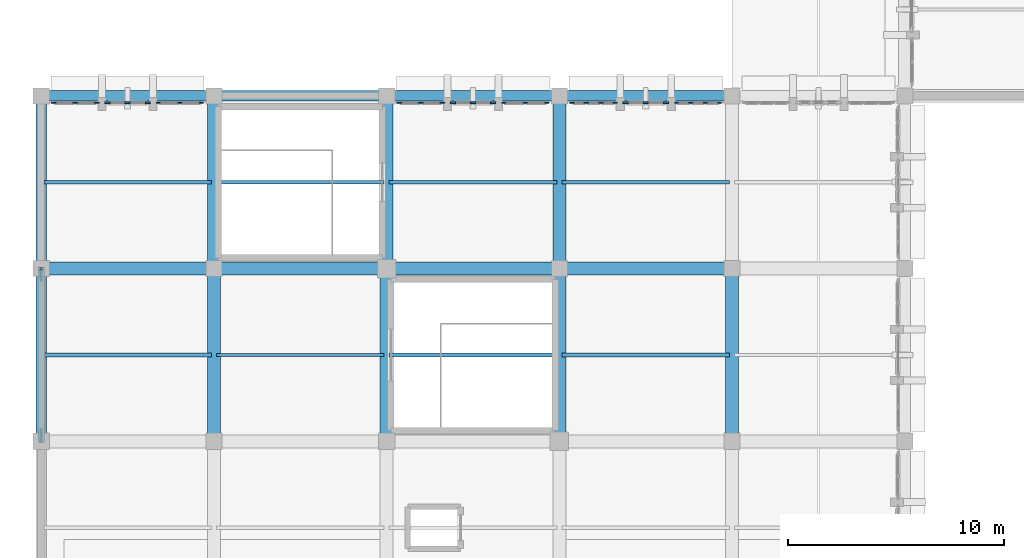
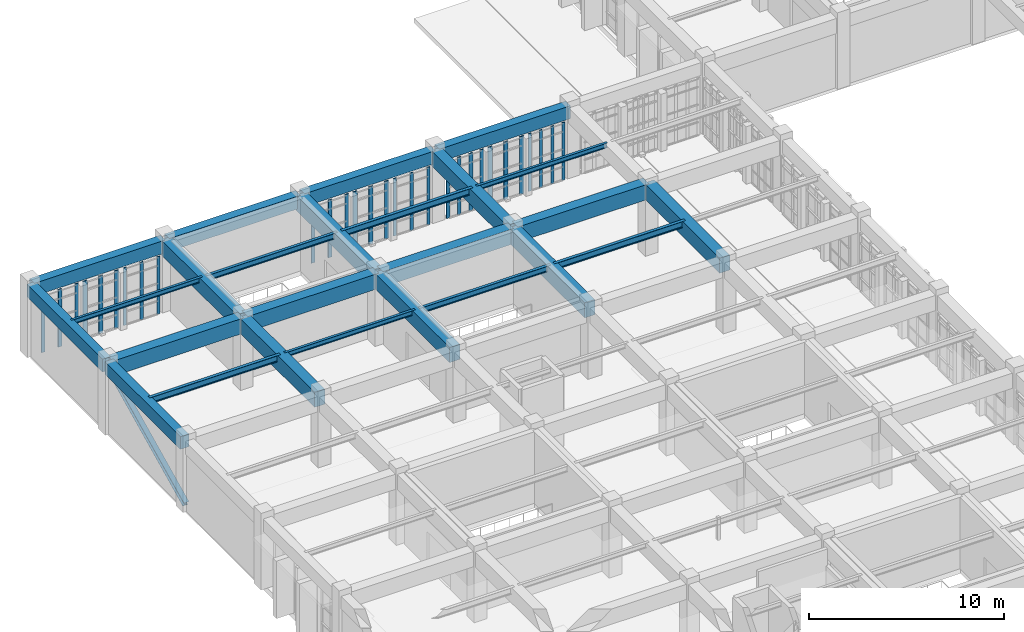
# One storey, part 26 of 155: 30 members, 25 beams, 9 elements without a shape of their own.
"""IFC4 building model written with IfcOpenShell, lengths in metres."""

from ifc_helpers import new_model, si_unit, direction, frame, origin, origin_2d, place, context, subcontext, project, spatial, rectangle, i_section, extrude, material, layer, layer_set, material_profile, profile_set, type_object, element, aggregate, save


model = new_model("IFC4")

# Units and contexts
model_context = context("Model", 3, precision=1e-05, world=origin(), true_north=direction((0.0, 1.0)))
body_context = subcontext(model_context, "Body", "Model", "MODEL_VIEW")
ifc_project = project(units=[si_unit("LENGTHUNIT", "METRE"), si_unit("AREAUNIT", "SQUARE_METRE"), si_unit("VOLUMEUNIT", "CUBIC_METRE"), si_unit("PLANEANGLEUNIT", "RADIAN"), si_unit("MASSUNIT", "GRAM", prefix="KILO")], contexts=[model_context])

# Site, building, storey
site_placement = place(None, origin())
site = spatial("IfcSite", under=ifc_project, at=site_placement, CompositionType="ELEMENT")
building_placement = place(site_placement, origin())
building = spatial("IfcBuilding", under=site, at=building_placement, Name="Tazarka Park Arena", CompositionType="ELEMENT")
storey_placement = place(building_placement, frame((0.0, 0.0, 5.39990234375)))
storey = spatial("IfcBuildingStorey", under=building, at=storey_placement, Name="L01", CompositionType="ELEMENT", Elevation=5.39990234375)

# Beams
ifc_material_1 = material(Name="Concrete C40/50", Category="concrete")
ifc_material_profile_1 = material_profile(ifc_material_1, rectangle(XDim=0.60009765625, YDim=0.949951171875, at=origin_2d()), Name="Concrete C40/50")
ifc_profile_set_1 = profile_set([ifc_material_profile_1], Name="Concrete C40/50")
beam_type_1 = type_object("IfcBeamType", Name="BM-B-03", PredefinedType="BEAM", material=ifc_profile_set_1)
for number, where, z_axis, x_axis, name in (
    (1, (0.1201171875, 104.0, 3.945068359375), (1.0, 0.0, 0.0), (0.0, 1.0, 0.0), "GXM-L01-00-13"),
    (2, (8.0, 96.1201171875, 3.945068359375), (0.0, 1.0, 0.0), (-1.0, 0.0, 0.0), "GYM-L01-01-12"),
    (3, (8.1201171875, 104.0, 3.945068359375), (1.0, 0.0, 0.0), (0.0, 1.0, 0.0), "GXM-L01-01-13"),
    (4, (8.0, 104.1201171875, 3.945068359375), (0.0, 1.0, 0.0), (-1.0, 0.0, 0.0), "GYM-L01-01-13"),
    (5, (16.0, 96.1201171875, 3.945068359375), (0.0, 1.0, 0.0), (-1.0, 0.0, 0.0), "GYM-L01-02-12"),
    (6, (16.1201171875, 104.0, 3.945068359375), (1.0, 0.0, 0.0), (0.0, 1.0, 0.0), "GXM-L01-02-13"),
    (7, (16.0, 104.1201171875, 3.945068359375), (0.0, 1.0, 0.0), (-1.0, 0.0, 0.0), "GYM-L01-02-13"),
    (8, (24.0, 96.1201171875, 3.945068359375), (0.0, 1.0, 0.0), (-1.0, 0.0, 0.0), "GYM-L01-03-12"),
    (9, (24.1201171875, 104.0, 3.945068359375), (1.0, 0.0, 0.0), (0.0, 1.0, 0.0), "GXM-L01-03-13"),
    (10, (24.0, 104.1201171875, 3.945068359375), (0.0, 1.0, 0.0), (-1.0, 0.0, 0.0), "GYM-L01-03-13"),
    (11, (32.0, 96.1201171875, 3.945068359375), (0.0, 1.0, 0.0), (-1.0, 0.0, 0.0), "GYM-L01-04-12"),
):
    element("IfcBeam", number, at=place(storey_placement, frame(where, z_axis=z_axis, x_axis=x_axis)), inside=storey, type_object=beam_type_1, Name=name, PredefinedType="BEAM", context=body_context, shape_type="SweptSolid", body=[
        extrude(rectangle(XDim=0.60009765625, YDim=0.949951171875, at=origin_2d()), origin(), (0.0, 0.0, 1.0), 7.759765625),
    ])
ifc_material_2 = material(Name="Steel S355", Category="steel")
ifc_material_profile_2 = material_profile(ifc_material_2, i_section(OverallWidth=0.14990234375, OverallDepth=0.300048828125, WebThickness=0.007080078125, FlangeThickness=0.0107421875, FilletRadius=0.014892578125, at=origin_2d()), Name="Steel S355")
ifc_profile_set_2 = profile_set([ifc_material_profile_2], Name="Steel S355")
beam_type_2 = type_object("IfcBeamType", Name="BM-J-01", PredefinedType="JOIST", material=ifc_profile_set_2)
for number, where, z_axis, x_axis, name in (
    (12, (0.1201171875, 108.0, 4.27001953125), (1.0, 0.0, 0.0), (0.0, 1.0, 0.0), "JST-L01-00-13"),
    (13, (8.1201171875, 100.0, 4.27001953125), (1.0, 0.0, 0.0), (0.0, 1.0, 0.0), "JST-L01-01-12"),
    (14, (24.1201171875, 108.0, 4.27001953125), (1.0, 0.0, 0.0), (0.0, 1.0, 0.0), "JST-L01-03-13"),
):
    element("IfcBeam", number, at=place(storey_placement, frame(where, z_axis=z_axis, x_axis=x_axis)), inside=storey, type_object=beam_type_2, Name=name, PredefinedType="JOIST", context=body_context, shape_type="SweptSolid", body=[
        extrude(i_section(OverallWidth=0.14990234375, OverallDepth=0.300048828125, WebThickness=0.007080078125, FlangeThickness=0.0107421875, FilletRadius=0.014892578125, at=origin_2d()), origin(), (0.0, 0.0, 1.0), 7.759765625),
    ])
ifc_material_3 = material(Name="Steel S355", Category="steel")
ifc_material_profile_3 = material_profile(ifc_material_3, i_section(OverallWidth=0.169921875, OverallDepth=0.360107421875, WebThickness=0.008056640625, FlangeThickness=0.0126953125, FilletRadius=0.01806640625, at=origin_2d()), Name="Steel S355")
ifc_profile_set_3 = profile_set([ifc_material_profile_3], Name="Steel S355")
beam_type_3 = type_object("IfcBeamType", Name="BM-J-02", PredefinedType="JOIST", material=ifc_profile_set_3)
for number, where, z_axis, x_axis, name in (
    (15, (8.1201171875, 108.0, 4.239990234375), (1.0, 0.0, 0.0), (0.0, 1.0, 0.0), "JST-L01-01-13"),
    (16, (16.1201171875, 100.0, 4.239990234375), (1.0, 0.0, 0.0), (0.0, 1.0, 0.0), "JST-L01-02-12"),
):
    element("IfcBeam", number, at=place(storey_placement, frame(where, z_axis=z_axis, x_axis=x_axis)), inside=storey, type_object=beam_type_3, Name=name, PredefinedType="JOIST", context=body_context, shape_type="SweptSolid", body=[
        extrude(i_section(OverallWidth=0.169921875, OverallDepth=0.360107421875, WebThickness=0.008056640625, FlangeThickness=0.0126953125, FilletRadius=0.01806640625, at=origin_2d()), origin(), (0.0, 0.0, 1.0), 7.759765625),
    ])
ifc_material_4 = material(Name="Steel S355", Category="steel")
ifc_material_profile_4 = material_profile(ifc_material_4, i_section(OverallWidth=0.179931640625, OverallDepth=0.39990234375, WebThickness=0.008544921875, FlangeThickness=0.013427734375, FilletRadius=0.02099609375, at=origin_2d()), Name="Steel S355")
ifc_profile_set_4 = profile_set([ifc_material_profile_4], Name="Steel S355")
beam_type_4 = type_object("IfcBeamType", Name="BM-J-03", PredefinedType="JOIST", material=ifc_profile_set_4)
for number, where, z_axis, x_axis, name in (
    (17, (0.1201171875, 100.0, 4.22021484375), (1.0, 0.0, 0.0), (0.0, 1.0, 0.0), "JST-L01-00-12"),
    (18, (16.1201171875, 108.0, 4.22021484375), (1.0, 0.0, 0.0), (0.0, 1.0, 0.0), "JST-L01-02-13"),
    (19, (24.1201171875, 100.0, 4.22021484375), (1.0, 0.0, 0.0), (0.0, 1.0, 0.0), "JST-L01-03-12"),
):
    element("IfcBeam", number, at=place(storey_placement, frame(where, z_axis=z_axis, x_axis=x_axis)), inside=storey, type_object=beam_type_4, Name=name, PredefinedType="JOIST", context=body_context, shape_type="SweptSolid", body=[
        extrude(i_section(OverallWidth=0.179931640625, OverallDepth=0.39990234375, WebThickness=0.008544921875, FlangeThickness=0.013427734375, FilletRadius=0.02099609375, at=origin_2d()), origin(), (0.0, 0.0, 1.0), 7.759765625),
    ])
ifc_material_5 = material(Name="Concrete C40/50", Category="concrete")
ifc_material_profile_5 = material_profile(ifc_material_5, rectangle(XDim=0.5, YDim=0.800048828125, at=origin_2d()), Name="Concrete C40/50")
ifc_profile_set_5 = profile_set([ifc_material_profile_5], Name="Concrete C40/50")
beam_type_5 = type_object("IfcBeamType", Name="BM-SP-01", PredefinedType="SPANDREL", material=ifc_profile_set_5)
for number, where, z_axis, x_axis, name in (
    (20, (0.0, 96.1201171875, 4.02001953125), (0.0, 1.0, 0.0), (-1.0, 0.0, 0.0), "GYM-L01-00-12"),
    (21, (0.0, 104.1201171875, 4.02001953125), (0.0, 1.0, 0.0), (-1.0, 0.0, 0.0), "GYM-L01-00-13"),
    (22, (0.1201171875, 112.0, 4.02001953125), (1.0, 0.0, 0.0), (0.0, 1.0, 0.0), "GXM-L01-00-14"),
    (23, (8.1201171875, 112.0, 4.02001953125), (1.0, 0.0, 0.0), (0.0, 1.0, 0.0), "GXM-L01-01-14"),
    (24, (16.1201171875, 112.0, 4.02001953125), (1.0, 0.0, 0.0), (0.0, 1.0, 0.0), "GXM-L01-02-14"),
    (25, (24.1201171875, 112.0, 4.02001953125), (1.0, 0.0, 0.0), (0.0, 1.0, 0.0), "GXM-L01-03-14"),
):
    element("IfcBeam", number, at=place(storey_placement, frame(where, z_axis=z_axis, x_axis=x_axis)), inside=storey, type_object=beam_type_5, Name=name, PredefinedType="SPANDREL", context=body_context, shape_type="SweptSolid", body=[
        extrude(rectangle(XDim=0.5, YDim=0.800048828125, at=origin_2d()), origin(), (0.0, 0.0, 1.0), 7.759765625),
    ])

# Curtain wall, members
ifc_material_6 = material(Name="Aluminium and low-e glass", Category="aluminium")
ifc_layer_1 = layer(ifc_material_6, 0.179931640625, Name="Aluminium and low-e glass")
ifc_layer_set_1 = layer_set([ifc_layer_1], Name="Aluminium and low-e glass")
curtain_wall_type_1 = type_object("IfcCurtainWallType", Name="CW-09", PredefinedType="NOTDEFINED", material=ifc_layer_set_1)
curtain_wall_1_placement = place(storey_placement, origin())
curtain_wall_1 = element("IfcCurtainWall", 26, at=curtain_wall_1_placement, inside=storey, type_object=curtain_wall_type_1, Name="Curtain Wall CWA-L01-129", PredefinedType="NOTDEFINED")
ifc_material_7 = material(Name="Aluminium 6060-T66", Category="aluminium")
ifc_material_profile_6 = material_profile(ifc_material_7, rectangle(XDim=0.06494140625, YDim=0.179931640625, at=origin_2d()), Name="Aluminium 6060-T66")
ifc_profile_set_6 = profile_set([ifc_material_profile_6], Name="Aluminium 6060-T66")
member_type_1 = type_object("IfcMemberType", Name="CWM-01", PredefinedType="MULLION", material=ifc_profile_set_6)
member_1_placement = place(storey_placement, frame((29.42431640625, 111.679931640625, 0.0), z_axis=(0.0, 0.0, 1.0), x_axis=(0.0, 1.0, 0.0)))
member_1 = element("IfcMember", 27, at=member_1_placement, type_object=member_type_1, Name="CW-09 mullion 1", PredefinedType="MULLION", context=body_context, shape_type="SweptSolid", body=[
    extrude(rectangle(XDim=0.06494140625, YDim=0.179931640625, at=origin_2d()), origin(), (0.0, 0.0, 1.0), 3.60009765625),
])
member_2_placement = place(storey_placement, frame((30.076171875, 111.679931640625, 0.0), z_axis=(0.0, 0.0, 1.0), x_axis=(0.0, 1.0, 0.0)))
member_2 = element("IfcMember", 28, at=member_2_placement, type_object=member_type_1, Name="CW-09 mullion 2", PredefinedType="MULLION", context=body_context, shape_type="SweptSolid", body=[
    extrude(rectangle(XDim=0.06494140625, YDim=0.179931640625, at=origin_2d()), origin(), (0.0, 0.0, 1.0), 3.60009765625),
])
member_3_placement = place(storey_placement, frame((30.760498046875, 111.679931640625, 0.0), z_axis=(0.0, 0.0, 1.0), x_axis=(0.0, 1.0, 0.0)))
member_3 = element("IfcMember", 29, at=member_3_placement, type_object=member_type_1, Name="CW-09 mullion 3", PredefinedType="MULLION", context=body_context, shape_type="SweptSolid", body=[
    extrude(rectangle(XDim=0.06494140625, YDim=0.179931640625, at=origin_2d()), origin(), (0.0, 0.0, 1.0), 3.60009765625),
])
member_4_placement = place(storey_placement, frame((31.41259765625, 111.679931640625, 0.0), z_axis=(0.0, 0.0, 1.0), x_axis=(0.0, 1.0, 0.0)))
member_4 = element("IfcMember", 30, at=member_4_placement, type_object=member_type_1, Name="CW-09 mullion 4", PredefinedType="MULLION", context=body_context, shape_type="SweptSolid", body=[
    extrude(rectangle(XDim=0.06494140625, YDim=0.179931640625, at=origin_2d()), origin(), (0.0, 0.0, 1.0), 3.60009765625),
])
aggregate(curtain_wall_1, [member_1, member_2, member_3, member_4])

ifc_material_8 = material(Name="Aluminium and low-e glass", Category="aluminium")
ifc_layer_2 = layer(ifc_material_8, 0.179931640625, Name="Aluminium and low-e glass")
ifc_layer_set_2 = layer_set([ifc_layer_2], Name="Aluminium and low-e glass")
curtain_wall_type_2 = type_object("IfcCurtainWallType", Name="CW-12", PredefinedType="NOTDEFINED", material=ifc_layer_set_2)
curtain_wall_2_placement = place(storey_placement, origin())
curtain_wall_2 = element("IfcCurtainWall", 31, at=curtain_wall_2_placement, inside=storey, type_object=curtain_wall_type_2, Name="Curtain Wall CWA-L01-132", PredefinedType="NOTDEFINED")
member_5_placement = place(storey_placement, frame((21.42431640625, 111.679931640625, 0.0), z_axis=(0.0, 0.0, 1.0), x_axis=(0.0, 1.0, 0.0)))
member_5 = element("IfcMember", 32, at=member_5_placement, type_object=member_type_1, Name="CW-12 mullion 1", PredefinedType="MULLION", context=body_context, shape_type="SweptSolid", body=[
    extrude(rectangle(XDim=0.06494140625, YDim=0.179931640625, at=origin_2d()), origin(), (0.0, 0.0, 1.0), 3.60009765625),
])
member_6_placement = place(storey_placement, frame((22.41845703125, 111.679931640625, 0.0), z_axis=(0.0, 0.0, 1.0), x_axis=(0.0, 1.0, 0.0)))
member_6 = element("IfcMember", 33, at=member_6_placement, type_object=member_type_1, Name="CW-12 mullion 2", PredefinedType="MULLION", context=body_context, shape_type="SweptSolid", body=[
    extrude(rectangle(XDim=0.06494140625, YDim=0.179931640625, at=origin_2d()), origin(), (0.0, 0.0, 1.0), 3.60009765625),
])
member_7_placement = place(storey_placement, frame((23.41259765625, 111.679931640625, 0.0), z_axis=(0.0, 0.0, 1.0), x_axis=(0.0, 1.0, 0.0)))
member_7 = element("IfcMember", 34, at=member_7_placement, type_object=member_type_1, Name="CW-12 mullion 3", PredefinedType="MULLION", context=body_context, shape_type="SweptSolid", body=[
    extrude(rectangle(XDim=0.06494140625, YDim=0.179931640625, at=origin_2d()), origin(), (0.0, 0.0, 1.0), 3.60009765625),
])
aggregate(curtain_wall_2, [member_5, member_6, member_7])

ifc_material_9 = material(Name="Aluminium and low-e glass", Category="aluminium")
ifc_layer_3 = layer(ifc_material_9, 0.179931640625, Name="Aluminium and low-e glass")
ifc_layer_set_3 = layer_set([ifc_layer_3], Name="Aluminium and low-e glass")
curtain_wall_type_3 = type_object("IfcCurtainWallType", Name="CW-15", PredefinedType="NOTDEFINED", material=ifc_layer_set_3)
curtain_wall_3_placement = place(storey_placement, origin())
curtain_wall_3 = element("IfcCurtainWall", 35, at=curtain_wall_3_placement, inside=storey, type_object=curtain_wall_type_3, Name="Curtain Wall CWA-L01-135", PredefinedType="NOTDEFINED")
member_8_placement = place(storey_placement, frame((5.42431640625, 111.679931640625, 0.0), z_axis=(0.0, 0.0, 1.0), x_axis=(0.0, 1.0, 0.0)))
member_8 = element("IfcMember", 36, at=member_8_placement, type_object=member_type_1, Name="CW-15 mullion 1", PredefinedType="MULLION", context=body_context, shape_type="SweptSolid", body=[
    extrude(rectangle(XDim=0.06494140625, YDim=0.179931640625, at=origin_2d()), origin(), (0.0, 0.0, 1.0), 3.60009765625),
])
member_9_placement = place(storey_placement, frame((6.41845703125, 111.679931640625, 0.0), z_axis=(0.0, 0.0, 1.0), x_axis=(0.0, 1.0, 0.0)))
member_9 = element("IfcMember", 37, at=member_9_placement, type_object=member_type_1, Name="CW-15 mullion 2", PredefinedType="MULLION", context=body_context, shape_type="SweptSolid", body=[
    extrude(rectangle(XDim=0.06494140625, YDim=0.179931640625, at=origin_2d()), origin(), (0.0, 0.0, 1.0), 3.60009765625),
])
member_10_placement = place(storey_placement, frame((7.41259765625, 111.679931640625, 0.0), z_axis=(0.0, 0.0, 1.0), x_axis=(0.0, 1.0, 0.0)))
member_10 = element("IfcMember", 38, at=member_10_placement, type_object=member_type_1, Name="CW-15 mullion 3", PredefinedType="MULLION", context=body_context, shape_type="SweptSolid", body=[
    extrude(rectangle(XDim=0.06494140625, YDim=0.179931640625, at=origin_2d()), origin(), (0.0, 0.0, 1.0), 3.60009765625),
])
aggregate(curtain_wall_3, [member_8, member_9, member_10])

ifc_material_10 = material(Name="Aluminium and low-e glass", Category="aluminium")
ifc_layer_4 = layer(ifc_material_10, 0.179931640625, Name="Aluminium and low-e glass")
ifc_layer_set_4 = layer_set([ifc_layer_4], Name="Aluminium and low-e glass")
curtain_wall_type_4 = type_object("IfcCurtainWallType", Name="CW-07", PredefinedType="NOTDEFINED", material=ifc_layer_set_4)
curtain_wall_4_placement = place(storey_placement, origin())
curtain_wall_4 = element("IfcCurtainWall", 39, at=curtain_wall_4_placement, inside=storey, type_object=curtain_wall_type_4, Name="Curtain Wall CWA-L01-127", PredefinedType="NOTDEFINED")
ifc_material_11 = material(Name="Aluminium 6060-T66", Category="aluminium")
ifc_material_profile_7 = material_profile(ifc_material_11, rectangle(XDim=0.06494140625, YDim=0.219970703125, at=origin_2d()), Name="Aluminium 6060-T66")
ifc_profile_set_7 = profile_set([ifc_material_profile_7], Name="Aluminium 6060-T66")
member_type_2 = type_object("IfcMemberType", Name="CWM-02", PredefinedType="MULLION", material=ifc_profile_set_7)
member_11_placement = place(storey_placement, frame((24.58740234375, 111.679931640625, 0.0), z_axis=(0.0, 0.0, 1.0), x_axis=(0.0, 1.0, 0.0)))
member_11 = element("IfcMember", 40, at=member_11_placement, type_object=member_type_2, Name="CW-07 mullion 1", PredefinedType="MULLION", context=body_context, shape_type="SweptSolid", body=[
    extrude(rectangle(XDim=0.06494140625, YDim=0.219970703125, at=origin_2d()), origin(), (0.0, 0.0, 1.0), 3.60009765625),
])
member_12_placement = place(storey_placement, frame((25.239501953125, 111.679931640625, 0.0), z_axis=(0.0, 0.0, 1.0), x_axis=(0.0, 1.0, 0.0)))
member_12 = element("IfcMember", 41, at=member_12_placement, type_object=member_type_2, Name="CW-07 mullion 2", PredefinedType="MULLION", context=body_context, shape_type="SweptSolid", body=[
    extrude(rectangle(XDim=0.06494140625, YDim=0.219970703125, at=origin_2d()), origin(), (0.0, 0.0, 1.0), 3.60009765625),
])
member_13_placement = place(storey_placement, frame((25.923828125, 111.679931640625, 0.0), z_axis=(0.0, 0.0, 1.0), x_axis=(0.0, 1.0, 0.0)))
member_13 = element("IfcMember", 42, at=member_13_placement, type_object=member_type_2, Name="CW-07 mullion 3", PredefinedType="MULLION", context=body_context, shape_type="SweptSolid", body=[
    extrude(rectangle(XDim=0.06494140625, YDim=0.219970703125, at=origin_2d()), origin(), (0.0, 0.0, 1.0), 3.60009765625),
])
member_14_placement = place(storey_placement, frame((26.57568359375, 111.679931640625, 0.0), z_axis=(0.0, 0.0, 1.0), x_axis=(0.0, 1.0, 0.0)))
member_14 = element("IfcMember", 43, at=member_14_placement, type_object=member_type_2, Name="CW-07 mullion 4", PredefinedType="MULLION", context=body_context, shape_type="SweptSolid", body=[
    extrude(rectangle(XDim=0.06494140625, YDim=0.219970703125, at=origin_2d()), origin(), (0.0, 0.0, 1.0), 3.60009765625),
])
aggregate(curtain_wall_4, [member_11, member_12, member_13, member_14])

ifc_material_12 = material(Name="Aluminium and low-e glass", Category="aluminium")
ifc_layer_5 = layer(ifc_material_12, 0.179931640625, Name="Aluminium and low-e glass")
ifc_layer_set_5 = layer_set([ifc_layer_5], Name="Aluminium and low-e glass")
curtain_wall_type_5 = type_object("IfcCurtainWallType", Name="CW-10", PredefinedType="NOTDEFINED", material=ifc_layer_set_5)
curtain_wall_5_placement = place(storey_placement, origin())
curtain_wall_5 = element("IfcCurtainWall", 44, at=curtain_wall_5_placement, inside=storey, type_object=curtain_wall_type_5, Name="Curtain Wall CWA-L01-130", PredefinedType="NOTDEFINED")
member_15_placement = place(storey_placement, frame((16.58740234375, 111.679931640625, 0.0), z_axis=(0.0, 0.0, 1.0), x_axis=(0.0, 1.0, 0.0)))
member_15 = element("IfcMember", 45, at=member_15_placement, type_object=member_type_2, Name="CW-10 mullion 1", PredefinedType="MULLION", context=body_context, shape_type="SweptSolid", body=[
    extrude(rectangle(XDim=0.06494140625, YDim=0.219970703125, at=origin_2d()), origin(), (0.0, 0.0, 1.0), 3.60009765625),
])
member_16_placement = place(storey_placement, frame((17.58154296875, 111.679931640625, 0.0), z_axis=(0.0, 0.0, 1.0), x_axis=(0.0, 1.0, 0.0)))
member_16 = element("IfcMember", 46, at=member_16_placement, type_object=member_type_2, Name="CW-10 mullion 2", PredefinedType="MULLION", context=body_context, shape_type="SweptSolid", body=[
    extrude(rectangle(XDim=0.06494140625, YDim=0.219970703125, at=origin_2d()), origin(), (0.0, 0.0, 1.0), 3.60009765625),
])
member_17_placement = place(storey_placement, frame((18.57568359375, 111.679931640625, 0.0), z_axis=(0.0, 0.0, 1.0), x_axis=(0.0, 1.0, 0.0)))
member_17 = element("IfcMember", 47, at=member_17_placement, type_object=member_type_2, Name="CW-10 mullion 3", PredefinedType="MULLION", context=body_context, shape_type="SweptSolid", body=[
    extrude(rectangle(XDim=0.06494140625, YDim=0.219970703125, at=origin_2d()), origin(), (0.0, 0.0, 1.0), 3.60009765625),
])
aggregate(curtain_wall_5, [member_15, member_16, member_17])

ifc_material_13 = material(Name="Aluminium and low-e glass", Category="aluminium")
ifc_layer_6 = layer(ifc_material_13, 0.179931640625, Name="Aluminium and low-e glass")
ifc_layer_set_6 = layer_set([ifc_layer_6], Name="Aluminium and low-e glass")
curtain_wall_type_6 = type_object("IfcCurtainWallType", Name="CW-13", PredefinedType="NOTDEFINED", material=ifc_layer_set_6)
curtain_wall_6_placement = place(storey_placement, origin())
curtain_wall_6 = element("IfcCurtainWall", 48, at=curtain_wall_6_placement, inside=storey, type_object=curtain_wall_type_6, Name="Curtain Wall CWA-L01-133", PredefinedType="NOTDEFINED")
member_18_placement = place(storey_placement, frame((0.58740234375, 111.679931640625, 0.0), z_axis=(0.0, 0.0, 1.0), x_axis=(0.0, 1.0, 0.0)))
member_18 = element("IfcMember", 49, at=member_18_placement, type_object=member_type_2, Name="CW-13 mullion 1", PredefinedType="MULLION", context=body_context, shape_type="SweptSolid", body=[
    extrude(rectangle(XDim=0.06494140625, YDim=0.219970703125, at=origin_2d()), origin(), (0.0, 0.0, 1.0), 3.60009765625),
])
member_19_placement = place(storey_placement, frame((1.58154296875, 111.679931640625, 0.0), z_axis=(0.0, 0.0, 1.0), x_axis=(0.0, 1.0, 0.0)))
member_19 = element("IfcMember", 50, at=member_19_placement, type_object=member_type_2, Name="CW-13 mullion 2", PredefinedType="MULLION", context=body_context, shape_type="SweptSolid", body=[
    extrude(rectangle(XDim=0.06494140625, YDim=0.219970703125, at=origin_2d()), origin(), (0.0, 0.0, 1.0), 3.60009765625),
])
member_20_placement = place(storey_placement, frame((2.57568359375, 111.679931640625, 0.0), z_axis=(0.0, 0.0, 1.0), x_axis=(0.0, 1.0, 0.0)))
member_20 = element("IfcMember", 51, at=member_20_placement, type_object=member_type_2, Name="CW-13 mullion 3", PredefinedType="MULLION", context=body_context, shape_type="SweptSolid", body=[
    extrude(rectangle(XDim=0.06494140625, YDim=0.219970703125, at=origin_2d()), origin(), (0.0, 0.0, 1.0), 3.60009765625),
])
aggregate(curtain_wall_6, [member_18, member_19, member_20])

ifc_material_14 = material(Name="Aluminium and low-e glass", Category="aluminium")
ifc_layer_7 = layer(ifc_material_14, 0.179931640625, Name="Aluminium and low-e glass")
ifc_layer_set_7 = layer_set([ifc_layer_7], Name="Aluminium and low-e glass")
curtain_wall_type_7 = type_object("IfcCurtainWallType", Name="CW-08", PredefinedType="NOTDEFINED", material=ifc_layer_set_7)
curtain_wall_7_placement = place(storey_placement, origin())
curtain_wall_7 = element("IfcCurtainWall", 52, at=curtain_wall_7_placement, inside=storey, type_object=curtain_wall_type_7, Name="Curtain Wall CWA-L01-128", PredefinedType="NOTDEFINED")
ifc_material_15 = material(Name="Aluminium 6060-T66", Category="aluminium")
ifc_material_profile_8 = material_profile(ifc_material_15, rectangle(XDim=0.074951171875, YDim=0.25, at=origin_2d()), Name="Aluminium 6060-T66")
ifc_profile_set_8 = profile_set([ifc_material_profile_8], Name="Aluminium 6060-T66")
member_type_3 = type_object("IfcMemberType", Name="CWM-03", PredefinedType="MULLION", material=ifc_profile_set_8)
member_21_placement = place(storey_placement, frame((27.06591796875, 111.679931640625, 0.0), z_axis=(0.0, 0.0, 1.0), x_axis=(0.0, 1.0, 0.0)))
member_21 = element("IfcMember", 53, at=member_21_placement, type_object=member_type_3, Name="CW-08 mullion 1", PredefinedType="MULLION", context=body_context, shape_type="SweptSolid", body=[
    extrude(rectangle(XDim=0.074951171875, YDim=0.25, at=origin_2d()), origin(), (0.0, 0.0, 1.0), 3.60009765625),
])
member_22_placement = place(storey_placement, frame((28.0, 111.679931640625, 0.0), z_axis=(0.0, 0.0, 1.0), x_axis=(0.0, 1.0, 0.0)))
member_22 = element("IfcMember", 54, at=member_22_placement, type_object=member_type_3, Name="CW-08 mullion 2", PredefinedType="MULLION", context=body_context, shape_type="SweptSolid", body=[
    extrude(rectangle(XDim=0.074951171875, YDim=0.25, at=origin_2d()), origin(), (0.0, 0.0, 1.0), 3.60009765625),
])
member_23_placement = place(storey_placement, frame((28.93408203125, 111.679931640625, 0.0), z_axis=(0.0, 0.0, 1.0), x_axis=(0.0, 1.0, 0.0)))
member_23 = element("IfcMember", 55, at=member_23_placement, type_object=member_type_3, Name="CW-08 mullion 3", PredefinedType="MULLION", context=body_context, shape_type="SweptSolid", body=[
    extrude(rectangle(XDim=0.074951171875, YDim=0.25, at=origin_2d()), origin(), (0.0, 0.0, 1.0), 3.60009765625),
])
aggregate(curtain_wall_7, [member_21, member_22, member_23])

ifc_material_16 = material(Name="Aluminium and low-e glass", Category="aluminium")
ifc_layer_8 = layer(ifc_material_16, 0.179931640625, Name="Aluminium and low-e glass")
ifc_layer_set_8 = layer_set([ifc_layer_8], Name="Aluminium and low-e glass")
curtain_wall_type_8 = type_object("IfcCurtainWallType", Name="CW-11", PredefinedType="NOTDEFINED", material=ifc_layer_set_8)
curtain_wall_8_placement = place(storey_placement, origin())
curtain_wall_8 = element("IfcCurtainWall", 56, at=curtain_wall_8_placement, inside=storey, type_object=curtain_wall_type_8, Name="Curtain Wall CWA-L01-131", PredefinedType="NOTDEFINED")
member_24_placement = place(storey_placement, frame((19.06591796875, 111.679931640625, 0.0), z_axis=(0.0, 0.0, 1.0), x_axis=(0.0, 1.0, 0.0)))
member_24 = element("IfcMember", 57, at=member_24_placement, type_object=member_type_3, Name="CW-11 mullion 1", PredefinedType="MULLION", context=body_context, shape_type="SweptSolid", body=[
    extrude(rectangle(XDim=0.074951171875, YDim=0.25, at=origin_2d()), origin(), (0.0, 0.0, 1.0), 3.60009765625),
])
member_25_placement = place(storey_placement, frame((20.0, 111.679931640625, 0.0), z_axis=(0.0, 0.0, 1.0), x_axis=(0.0, 1.0, 0.0)))
member_25 = element("IfcMember", 58, at=member_25_placement, type_object=member_type_3, Name="CW-11 mullion 2", PredefinedType="MULLION", context=body_context, shape_type="SweptSolid", body=[
    extrude(rectangle(XDim=0.074951171875, YDim=0.25, at=origin_2d()), origin(), (0.0, 0.0, 1.0), 3.60009765625),
])
member_26_placement = place(storey_placement, frame((20.93408203125, 111.679931640625, 0.0), z_axis=(0.0, 0.0, 1.0), x_axis=(0.0, 1.0, 0.0)))
member_26 = element("IfcMember", 59, at=member_26_placement, type_object=member_type_3, Name="CW-11 mullion 3", PredefinedType="MULLION", context=body_context, shape_type="SweptSolid", body=[
    extrude(rectangle(XDim=0.074951171875, YDim=0.25, at=origin_2d()), origin(), (0.0, 0.0, 1.0), 3.60009765625),
])
aggregate(curtain_wall_8, [member_24, member_25, member_26])

ifc_material_17 = material(Name="Aluminium and low-e glass", Category="aluminium")
ifc_layer_9 = layer(ifc_material_17, 0.179931640625, Name="Aluminium and low-e glass")
ifc_layer_set_9 = layer_set([ifc_layer_9], Name="Aluminium and low-e glass")
curtain_wall_type_9 = type_object("IfcCurtainWallType", Name="CW-14", PredefinedType="NOTDEFINED", material=ifc_layer_set_9)
curtain_wall_9_placement = place(storey_placement, origin())
curtain_wall_9 = element("IfcCurtainWall", 60, at=curtain_wall_9_placement, inside=storey, type_object=curtain_wall_type_9, Name="Curtain Wall CWA-L01-134", PredefinedType="NOTDEFINED")
member_27_placement = place(storey_placement, frame((3.06591796875, 111.679931640625, 0.0), z_axis=(0.0, 0.0, 1.0), x_axis=(0.0, 1.0, 0.0)))
member_27 = element("IfcMember", 61, at=member_27_placement, type_object=member_type_3, Name="CW-14 mullion 1", PredefinedType="MULLION", context=body_context, shape_type="SweptSolid", body=[
    extrude(rectangle(XDim=0.074951171875, YDim=0.25, at=origin_2d()), origin(), (0.0, 0.0, 1.0), 3.60009765625),
])
member_28_placement = place(storey_placement, frame((4.0, 111.679931640625, 0.0), z_axis=(0.0, 0.0, 1.0), x_axis=(0.0, 1.0, 0.0)))
member_28 = element("IfcMember", 62, at=member_28_placement, type_object=member_type_3, Name="CW-14 mullion 2", PredefinedType="MULLION", context=body_context, shape_type="SweptSolid", body=[
    extrude(rectangle(XDim=0.074951171875, YDim=0.25, at=origin_2d()), origin(), (0.0, 0.0, 1.0), 3.60009765625),
])
member_29_placement = place(storey_placement, frame((4.93408203125, 111.679931640625, 0.0), z_axis=(0.0, 0.0, 1.0), x_axis=(0.0, 1.0, 0.0)))
member_29 = element("IfcMember", 63, at=member_29_placement, type_object=member_type_3, Name="CW-14 mullion 3", PredefinedType="MULLION", context=body_context, shape_type="SweptSolid", body=[
    extrude(rectangle(XDim=0.074951171875, YDim=0.25, at=origin_2d()), origin(), (0.0, 0.0, 1.0), 3.60009765625),
])
aggregate(curtain_wall_9, [member_27, member_28, member_29])

# Member
ifc_material_18 = material(Name="Steel S355", Category="steel")
ifc_material_profile_9 = material_profile(ifc_material_18, i_section(OverallWidth=0.300048828125, OverallDepth=0.2900390625, WebThickness=0.008544921875, FlangeThickness=0.013916015625, FilletRadius=0.027099609375, at=origin_2d()), Name="Steel S355")
ifc_profile_set_9 = profile_set([ifc_material_profile_9], Name="Steel S355")
member_type_4 = type_object("IfcMemberType", Name="MEM-BR-04", PredefinedType="BRACE", material=ifc_profile_set_9)
member_30_placement = place(storey_placement, frame((0.0, 96.0, 0.2001953125), z_axis=(0.0, 0.900207542206, 0.435461113022), x_axis=(-1.0, 0.0, 0.0)))
element("IfcMember", 64, at=member_30_placement, inside=storey, type_object=member_type_4, Name="BRX-L01-01", PredefinedType="BRACE", context=body_context, shape_type="SweptSolid", body=[
    extrude(i_section(OverallWidth=0.300048828125, OverallDepth=0.2900390625, WebThickness=0.008544921875, FlangeThickness=0.013916015625, FilletRadius=0.027099609375, at=origin_2d()), origin(), (0.0, 0.0, 1.0), 8.88671875),
])

save(model, "model.ifc")
